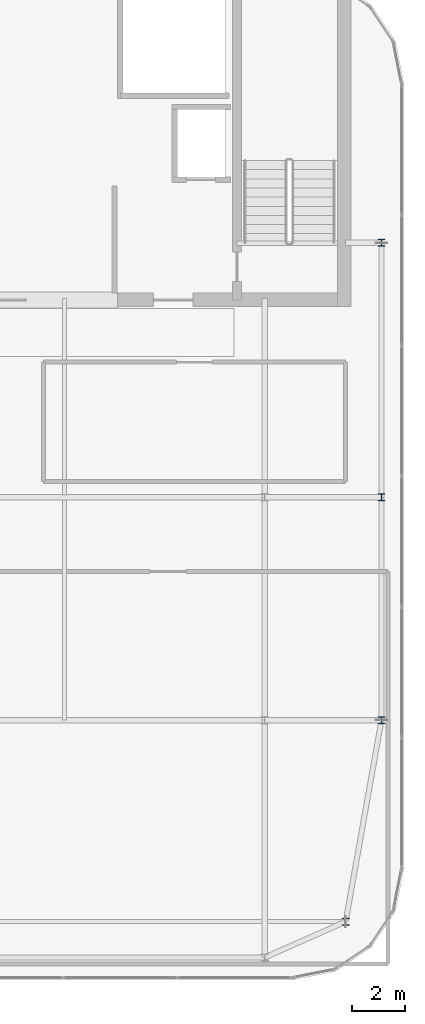
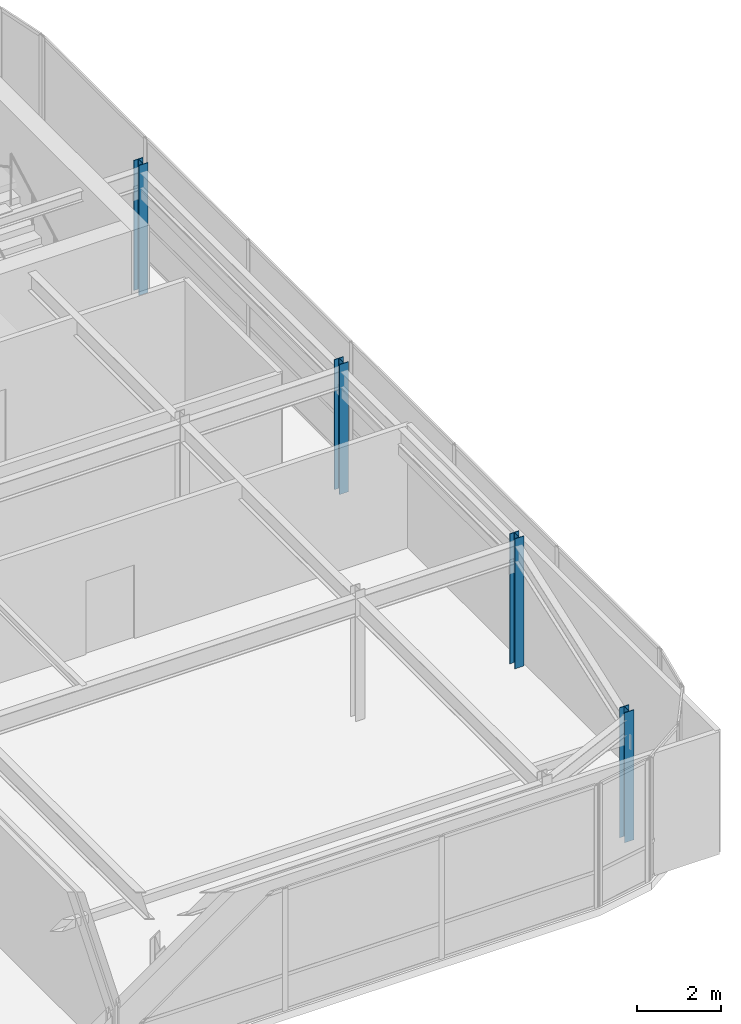
# One storey, part 3 of 36: 4 columns.
"""IFC4 building model written with IfcOpenShell, lengths in metres."""

from ifc_helpers import new_model, si_unit, direction, frame, origin, origin_2d, place, context, subcontext, project, spatial, i_section, extrude, source, transform, mapped, material, material_profile, profile_set, type_object, type_shapes, element, save


model = new_model("IFC4")

# Units and contexts
model_context = context("Model", 3, precision=1e-05, world=origin(), true_north=direction((0.0, 1.0)))
body_context = subcontext(model_context, "Body", "Model", "MODEL_VIEW")
ifc_project = project(units=[si_unit("LENGTHUNIT", "METRE"), si_unit("AREAUNIT", "SQUARE_METRE"), si_unit("VOLUMEUNIT", "CUBIC_METRE"), si_unit("PLANEANGLEUNIT", "RADIAN"), si_unit("MASSUNIT", "GRAM", prefix="KILO")], contexts=[model_context])

# Site, building, storey
site_placement = place(None, origin())
site = spatial("IfcSite", under=ifc_project, at=site_placement, CompositionType="ELEMENT")
building_placement = place(site_placement, origin())
building = spatial("IfcBuilding", under=site, at=building_placement, Name="Tolvann Quenvar Hotel", CompositionType="ELEMENT")
storey_placement = place(building_placement, frame((0.0, 0.0, 298.550048828125)))
storey = spatial("IfcBuildingStorey", under=building, at=storey_placement, Name="L79", CompositionType="ELEMENT", Elevation=298.550048828125)

# Columns
ifc_material = material(Name="Steel Grade 350", Category="steel")
ifc_material_profile = material_profile(ifc_material, i_section(OverallWidth=0.256103515625, OverallDepth=0.260009765625, WebThickness=0.010498046875, FlangeThickness=0.017333984375, FilletRadius=0.013916015625, at=origin_2d()), Name="250UC90")
ifc_profile_set = profile_set([ifc_material_profile], Name="Steel Grade 350")
column_type = type_object("IfcColumnType", Name="COL_250UC90", PredefinedType="COLUMN", material=ifc_profile_set)
shared_shape = source(origin(), body_context, "Body", "SweptSolid", [
    extrude(i_section(OverallWidth=0.256103515625, OverallDepth=0.260009765625, WebThickness=0.010498046875, FlangeThickness=0.017333984375, FilletRadius=0.013916015625, at=origin_2d()), origin(), (0.0, 0.0, 1.0), 3.800048828125),
])
type_shapes(column_type, [shared_shape])
for number, where, z_axis, x_axis, name in (
    (1, (35.800048828125, 8.39990234375, 0.0), (0.0, 0.0, 1.0), (1.0, 0.0, 0.0), "Column G2 (L79)"),
    (2, (37.14990234375, 16.0, 0.0), (0.0, 0.0, 1.0), (1.0, 0.0, 0.0), "Column G4 (L79)"),
    (3, (37.14990234375, 24.39990234375, 0.0), (0.0, 0.0, 1.0), (1.0, 0.0, 0.0), "Column G5 (L79)"),
    (4, (37.14990234375, 34.0, 0.0), (0.0, 0.0, 1.0), (1.0, 0.0, 0.0), "Column GD6 (L79)"),
):
    element("IfcColumn", number, at=place(storey_placement, frame(where, z_axis=z_axis, x_axis=x_axis)), inside=storey, type_object=column_type, Name=name, PredefinedType="COLUMN", context=body_context, shape_type="MappedRepresentation", body=[
        mapped(shared_shape, transform((0.0, 0.0, 0.0), x_axis=(1.0, 0.0, 0.0), y_axis=(0.0, 1.0, 0.0), z_axis=(0.0, 0.0, 1.0), scale=1.0)),
    ])

save(model, "model.ifc")
